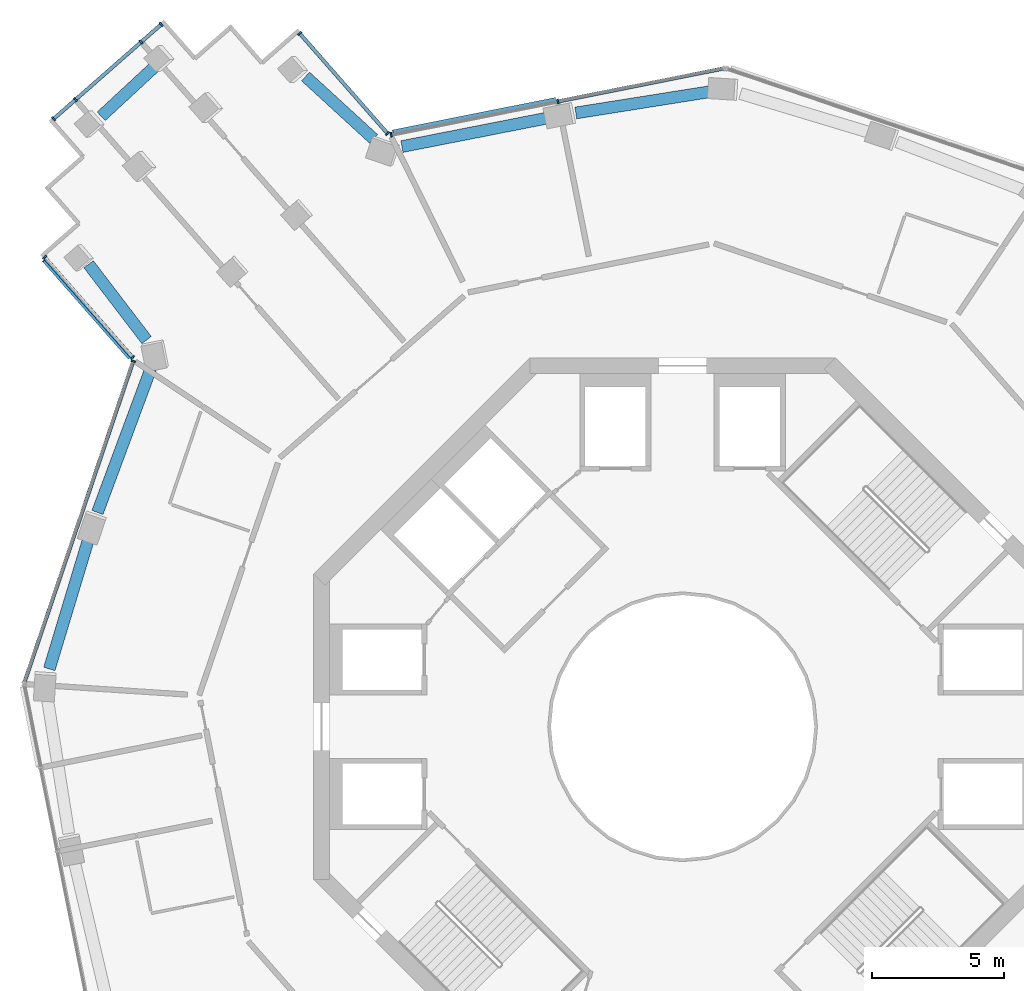
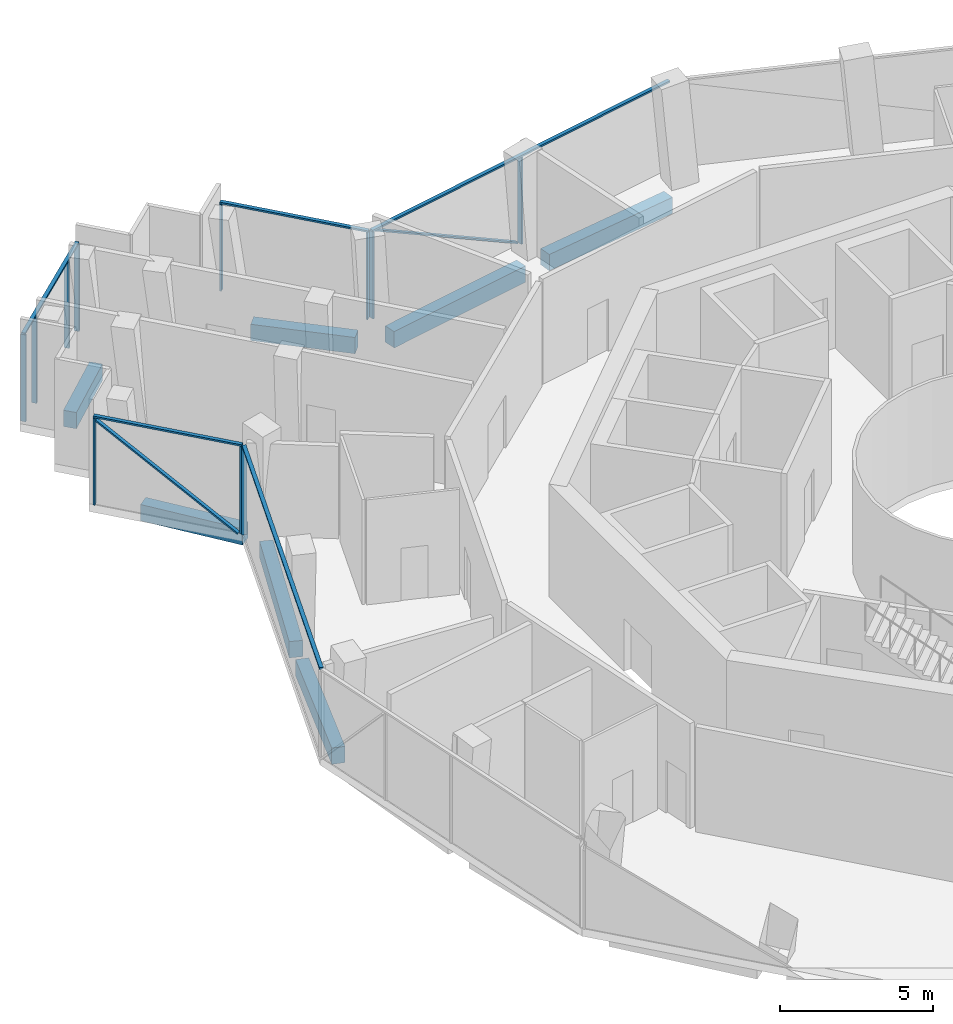
# One storey, part 5 of 17: 18 members, 7 beams, 5 elements without a shape of their own.
"""IFC4 building model written with IfcOpenShell, lengths in metres."""

import ifcopenshell
import ifcopenshell.guid

model = None  # the IFC model being written
_history = None  # IfcOwnerHistory: only IFC2X3 demands one
_inside = {}  # id of a spatial element -> (the spatial element, [elements in it])
_under = {}  # id of a project, library or spatial element -> (it, [spatial elements below it])
_declared = {}  # id of a project -> (the project, [libraries it declares])
_typed = {}  # id of a type object -> (the type object, [elements of that type])
_made_of = {}  # id of a material, layer set ... -> (it, [elements and type objects made of it])


def new_model(schema):
    """Start an empty IFC model of exactly this schema.

    Asked for "IFC4X3", IfcOpenShell would pick the latest addendum, in which some entities
    have other attributes; the version numbers below select the first issue.
    IFC2X3 requires an IfcOwnerHistory on every rooted entity: one is made here for all.
    """
    global model, _history
    if schema == "IFC4X3":
        model = ifcopenshell.file(schema_version=(4, 3, 0, 0))
    else:
        model = ifcopenshell.file(schema=schema)
    _inside.clear()
    _under.clear()
    _declared.clear()
    _typed.clear()
    _made_of.clear()
    _history = None
    if model.schema == "IFC2X3":
        org = make("IfcOrganization", Name="unknown")
        user = make(
            "IfcPersonAndOrganization",
            ThePerson=make("IfcPerson", FamilyName="unknown"),
            TheOrganization=org,
        )
        app = make(
            "IfcApplication",
            ApplicationDeveloper=org,
            Version="unknown",
            ApplicationFullName="unknown",
            ApplicationIdentifier="unknown",
        )
        _history = make(
            "IfcOwnerHistory",
            OwningUser=user,
            OwningApplication=app,
            ChangeAction="ADDED",
            CreationDate=0,
        )
    return model


def make(cls, **values):
    """One entity of the class cls with the attributes given. An attribute that is None is left unset."""
    return model.create_entity(
        cls, **{name: value for name, value in values.items() if value is not None}
    )


def rooted(cls, **values):
    """An entity with a GlobalId (a new one), such as an element, a storey or a relation."""
    return make(cls, GlobalId=ifcopenshell.guid.new(), OwnerHistory=_history, **values)


def si_unit(unit_type, name, prefix=None):
    """IfcSIUnit, for example si_unit("LENGTHUNIT", "METRE", prefix="MILLI")."""
    return make("IfcSIUnit", UnitType=unit_type, Prefix=prefix, Name=name)


def assignment(units):
    """IfcUnitAssignment: the units of a project."""
    return None if units is None else make("IfcUnitAssignment", Units=units)


def point(xyz):
    """IfcCartesianPoint."""
    return None if xyz is None else make("IfcCartesianPoint", Coordinates=xyz)


def direction(xyz):
    """IfcDirection."""
    return None if xyz is None else make("IfcDirection", DirectionRatios=xyz)


def frame(location, z_axis=None, x_axis=None):
    """IfcAxis2Placement3D, a coordinate frame: its origin and axes. An axis left out is left unset."""
    return make(
        "IfcAxis2Placement3D",
        Location=point(location),
        Axis=direction(z_axis),
        RefDirection=direction(x_axis),
    )


def frame_2d(location, x_axis=None):
    """IfcAxis2Placement2D, a coordinate frame in the plane: its origin and x axis."""
    return make(
        "IfcAxis2Placement2D", Location=point(location), RefDirection=direction(x_axis)
    )


def origin():
    """The frame at (0, 0, 0) with its axes left unset."""
    return frame((0.0, 0.0, 0.0))


def origin_2d():
    """The frame at (0, 0) in the plane with its x axis left unset."""
    return frame_2d((0.0, 0.0))


def place(relative_to, where):
    """IfcLocalPlacement: puts the frame where relative to a parent placement (None: the world)."""
    return make(
        "IfcLocalPlacement", PlacementRelTo=relative_to, RelativePlacement=where
    )


def context(
    kind, dimensions, precision=None, world=None, true_north=None, identifier=None
):
    """IfcGeometricRepresentationContext, for example the 3D "Model" context."""
    return make(
        "IfcGeometricRepresentationContext",
        ContextIdentifier=identifier,
        ContextType=kind,
        CoordinateSpaceDimension=dimensions,
        Precision=precision,
        WorldCoordinateSystem=world,
        TrueNorth=true_north,
    )


def subcontext(parent, identifier, kind, view, scale=None):
    """IfcGeometricRepresentationSubContext, for example "Body" below "Model"."""
    return make(
        "IfcGeometricRepresentationSubContext",
        ContextIdentifier=identifier,
        ContextType=kind,
        ParentContext=parent,
        TargetScale=scale,
        TargetView=view,
    )


def project(units=None, contexts=None):
    """IfcProject with its units and contexts."""
    return rooted(
        "IfcProject",
        Name="project",
        RepresentationContexts=contexts,
        UnitsInContext=assignment(units),
    )


def spatial(cls, under=None, at=None, **own):
    """A site, building, storey or space (cls), placed at a placement, below another one or the project."""
    s = rooted(cls, ObjectPlacement=at, **own)
    if under is not None:
        _under.setdefault(under.id(), (under, []))[1].append(s)
    return s


def profile(cls, at=None, kind="AREA", **sizes):
    """A parametric profile (cls). Its sizes go by their IFC names, for example OverallWidth=200.0."""
    return make(cls, ProfileType=kind, Position=at, **sizes)


def rectangle(**sizes):
    """IfcRectangleProfileDef."""
    return profile("IfcRectangleProfileDef", **sizes)


def extrude(swept, where, along, depth):
    """IfcExtrudedAreaSolid: the profile swept, set in the frame where, extruded along a direction by depth."""
    return make(
        "IfcExtrudedAreaSolid",
        SweptArea=swept,
        Position=where,
        ExtrudedDirection=direction(along),
        Depth=depth,
    )


def shape(context_of_items, identifier, shape_type, items):
    """IfcShapeRepresentation: the items that make up one representation, for example the "Body"."""
    return make(
        "IfcShapeRepresentation",
        ContextOfItems=context_of_items,
        RepresentationIdentifier=identifier,
        RepresentationType=shape_type,
        Items=items,
    )


def material(Name=None, Category=None):
    """IfcMaterial."""
    return make("IfcMaterial", Name=Name, Category=Category)


def layer(
    of_material, thickness, ventilated=None, Name=None, Category=None, Priority=None
):
    """IfcMaterialLayer: one layer of a wall or slab, of a material (None: an air gap)."""
    return make(
        "IfcMaterialLayer",
        Material=of_material,
        LayerThickness=thickness,
        IsVentilated=ventilated,
        Name=Name,
        Category=Category,
        Priority=Priority,
    )


def layer_set(layers, Name=None):
    """IfcMaterialLayerSet."""
    return make("IfcMaterialLayerSet", MaterialLayers=layers, LayerSetName=Name)


def material_profile(
    of_material, cross_section, Name=None, Category=None, Priority=None
):
    """IfcMaterialProfile: a cross section and its material."""
    return make(
        "IfcMaterialProfile",
        Name=Name,
        Material=of_material,
        Profile=cross_section,
        Priority=Priority,
        Category=Category,
    )


def profile_set(profiles, Name=None, composite=None):
    """IfcMaterialProfileSet."""
    return make(
        "IfcMaterialProfileSet",
        Name=Name,
        MaterialProfiles=profiles,
        CompositeProfile=composite,
    )


def made_of(thing, what):
    """Note that an element or type object is made of a material, layer set ...; save() writes the relation."""
    if what is not None:
        _made_of.setdefault(what.id(), (what, []))[1].append(thing)
    return thing


def type_object(cls, material=None, **own):
    """A type object (cls), such as IfcWallType, which elements share."""
    return made_of(rooted(cls, **own), material)


def element(
    cls,
    number,
    at=None,
    inside=None,
    cuts=None,
    type_object=None,
    material=None,
    context=None,
    identifier="Body",
    shape_type=None,
    held_by="IfcProductDefinitionShape",
    body=None,
    shapes=None,
    **own,
):
    """One element of the class cls, such as IfcWall. Its Tag is "e" and its number.

    at: its placement. inside: the storey or other place that contains it. cuts: it is an
    opening in that element (IfcRelVoidsElement). A single representation is given by context,
    identifier, shape_type and body (its items); several are given by shapes. held_by: the class
    of the entity that holds the representations. save() writes the other relations.
    """
    e = rooted(cls, Tag="e%d" % number, ObjectPlacement=at, **own)
    if body is not None:
        shapes = [shape(context, identifier, shape_type, body)]
    if shapes is not None:
        e.Representation = make(held_by, Representations=shapes)
    if inside is not None:
        _inside.setdefault(inside.id(), (inside, []))[1].append(e)
    if cuts is not None:
        rooted(
            "IfcRelVoidsElement", RelatingBuildingElement=cuts, RelatedOpeningElement=e
        )
    if type_object is not None:
        _typed.setdefault(type_object.id(), (type_object, []))[1].append(e)
    return made_of(e, material)


def aggregate(whole, parts):
    """IfcRelAggregates: a whole, such as a stair, and the parts it consists of."""
    return rooted("IfcRelAggregates", RelatingObject=whole, RelatedObjects=parts)


def save(model, path):
    """Write the relations noted so far, then the file.

    IfcRelAggregates (storeys below a building ...), IfcRelContainedInSpatialStructure (elements
    in a storey), IfcRelDefinesByType, IfcRelAssociatesMaterial and IfcRelDeclares: one each for
    every whole, place, type object, material and project.
    """
    for whole, parts in _under.values():
        aggregate(whole, parts)
    for where, things in _inside.values():
        rooted(
            "IfcRelContainedInSpatialStructure",
            RelatedElements=things,
            RelatingStructure=where,
        )
    for kind, things in _typed.values():
        rooted("IfcRelDefinesByType", RelatedObjects=things, RelatingType=kind)
    for what, things in _made_of.values():
        rooted("IfcRelAssociatesMaterial", RelatedObjects=things, RelatingMaterial=what)
    for by, libraries in _declared.values():
        rooted("IfcRelDeclares", RelatingContext=by, RelatedDefinitions=libraries)
    model.write(path)


model = new_model("IFC4")

# Units and contexts
model_context = context("Model", 3, precision=1e-05, world=origin(), true_north=direction((0.0, 1.0)))
body_context = subcontext(model_context, "Body", "Model", "MODEL_VIEW")
ifc_project = project(units=[si_unit("LENGTHUNIT", "METRE"), si_unit("AREAUNIT", "SQUARE_METRE"), si_unit("VOLUMEUNIT", "CUBIC_METRE"), si_unit("PLANEANGLEUNIT", "RADIAN"), si_unit("MASSUNIT", "GRAM", prefix="KILO")], contexts=[model_context])

# Site, building, storey
site_placement = place(None, origin())
site = spatial("IfcSite", under=ifc_project, at=site_placement, CompositionType="ELEMENT")
building_placement = place(site_placement, origin())
building = spatial("IfcBuilding", under=site, at=building_placement, Name="Verdalira Terraces Hotel", CompositionType="ELEMENT")
storey_placement = place(building_placement, frame((0.0, 0.0, 201.0)))
storey = spatial("IfcBuildingStorey", under=building, at=storey_placement, Name="L49", CompositionType="ELEMENT", Elevation=201.0)

# Curtain wall, members
ifc_material_1 = material(Name="Clear glass", Category="glass")
ifc_layer = layer(ifc_material_1, 0.179931640625)
ifc_layer_set = layer_set([ifc_layer], Name="CW4 curtain wall")
curtain_wall_type = type_object("IfcCurtainWallType", Name="CW4 curtain wall", PredefinedType="NOTDEFINED", material=ifc_layer_set)
curtain_wall_1_placement = place(storey_placement, origin())
curtain_wall_1 = element("IfcCurtainWall", 1, at=curtain_wall_1_placement, inside=storey, type_object=curtain_wall_type, Name="CW4 curtain wall L49 edge 0", PredefinedType="NOTDEFINED")
ifc_material_2 = material(Name="Terracotta frame", Category="masonry")
ifc_material_profile_1 = material_profile(ifc_material_2, rectangle(XDim=0.064941, YDim=0.179932, at=origin_2d()), Name="MU 65x180")
ifc_profile_set_1 = profile_set([ifc_material_profile_1], Name="Terracotta frame")
member_type_1 = type_object("IfcMemberType", Name="CW4 mullion 65x180", PredefinedType="MULLION", material=ifc_profile_set_1)
member_1_placement = place(storey_placement, frame((-11.19751, 22.516113, 0.0), z_axis=(0.0, 0.0, 1.0), x_axis=(-0.659739387, 0.751494472, 0.0)))
member_1 = element("IfcMember", 2, at=member_1_placement, type_object=member_type_1, Name="CW4 mullion", PredefinedType="MULLION", context=body_context, shape_type="SweptSolid", body=[
    extrude(rectangle(XDim=0.064941, YDim=0.179932, at=origin_2d()), origin(), (0.0, 0.0, 1.0), 3.469971),
])
member_2_placement = place(storey_placement, frame((-14.532471, 26.315186, 0.0), z_axis=(0.0, 0.0, 1.0), x_axis=(-0.659739387, 0.751494472, 0.0)))
member_2 = element("IfcMember", 3, at=member_2_placement, type_object=member_type_1, Name="CW4 mullion", PredefinedType="MULLION", context=body_context, shape_type="SweptSolid", body=[
    extrude(rectangle(XDim=0.064941, YDim=0.179932, at=origin_2d()), origin(), (0.0, 0.0, 1.0), 3.469971),
])

curtain_wall_2_placement = place(storey_placement, origin())
curtain_wall_2 = element("IfcCurtainWall", 4, at=curtain_wall_2_placement, inside=storey, type_object=curtain_wall_type, Name="CW4 curtain wall L49 edge 5", PredefinedType="NOTDEFINED")
member_3_placement = place(storey_placement, frame((-19.785889, 26.656738, 0.0), z_axis=(0.0, 0.0, 1.0), x_axis=(-0.751494472, -0.659739387, 0.0)))
member_3 = element("IfcMember", 5, at=member_3_placement, type_object=member_type_1, Name="CW4 mullion", PredefinedType="MULLION", context=body_context, shape_type="SweptSolid", body=[
    extrude(rectangle(XDim=0.064941, YDim=0.179932, at=origin_2d()), origin(), (0.0, 0.0, 1.0), 3.469971),
])
member_4_placement = place(storey_placement, frame((-20.548584, 25.987061, 0.0), z_axis=(0.0, 0.0, 1.0), x_axis=(-0.751494472, -0.659739387, 0.0)))
member_4 = element("IfcMember", 6, at=member_4_placement, type_object=member_type_1, Name="CW4 mullion", PredefinedType="MULLION", context=body_context, shape_type="SweptSolid", body=[
    extrude(rectangle(XDim=0.064941, YDim=0.179932, at=origin_2d()), origin(), (0.0, 0.0, 1.0), 3.469971),
])
member_5_placement = place(storey_placement, frame((-23.038818, 23.801025, 0.0), z_axis=(0.0, 0.0, 1.0), x_axis=(-0.751494472, -0.659739387, 0.0)))
member_5 = element("IfcMember", 7, at=member_5_placement, type_object=member_type_1, Name="CW4 mullion", PredefinedType="MULLION", context=body_context, shape_type="SweptSolid", body=[
    extrude(rectangle(XDim=0.064941, YDim=0.179932, at=origin_2d()), origin(), (0.0, 0.0, 1.0), 3.469971),
])
member_6_placement = place(storey_placement, frame((-23.870361, 23.071045, 0.0), z_axis=(0.0, 0.0, 1.0), x_axis=(-0.751494472, -0.659739387, 0.0)))
member_6 = element("IfcMember", 8, at=member_6_placement, type_object=member_type_1, Name="CW4 mullion", PredefinedType="MULLION", context=body_context, shape_type="SweptSolid", body=[
    extrude(rectangle(XDim=0.064941, YDim=0.179932, at=origin_2d()), origin(), (0.0, 0.0, 1.0), 3.469971),
])

curtain_wall_3_placement = place(storey_placement, origin())
curtain_wall_3 = element("IfcCurtainWall", 9, at=curtain_wall_3_placement, inside=storey, type_object=curtain_wall_type, Name="CW4 curtain wall L49 edge 10", PredefinedType="NOTDEFINED")
member_7_placement = place(storey_placement, frame((-24.211914, 17.817627, 0.0), z_axis=(0.0, 0.0, 1.0), x_axis=(0.659739387, -0.751494472, 0.0)))
member_7 = element("IfcMember", 10, at=member_7_placement, type_object=member_type_1, Name="CW4 mullion", PredefinedType="MULLION", context=body_context, shape_type="SweptSolid", body=[
    extrude(rectangle(XDim=0.064941, YDim=0.179932, at=origin_2d()), origin(), (0.0, 0.0, 1.0), 3.469971),
])
member_8_placement = place(storey_placement, frame((-20.876709, 14.018799, 0.0), z_axis=(0.0, 0.0, 1.0), x_axis=(0.659739387, -0.751494472, 0.0)))
member_8 = element("IfcMember", 11, at=member_8_placement, type_object=member_type_1, Name="CW4 mullion", PredefinedType="MULLION", context=body_context, shape_type="SweptSolid", body=[
    extrude(rectangle(XDim=0.064941, YDim=0.179932, at=origin_2d()), origin(), (0.0, 0.0, 1.0), 3.469971),
])

# Curtain wall, member
curtain_wall_4_placement = place(storey_placement, origin())
curtain_wall_4 = element("IfcCurtainWall", 12, at=curtain_wall_4_placement, inside=storey, type_object=curtain_wall_type, Name="CW4 curtain wall L49 edge 11", PredefinedType="NOTDEFINED")
member_9_placement = place(storey_placement, frame((-20.848145, 13.875244, 0.0), z_axis=(0.0, 0.0, 1.0), x_axis=(-0.32094361, -0.947098305, 0.0)))
member_9 = element("IfcMember", 13, at=member_9_placement, type_object=member_type_1, Name="CW4 mullion", PredefinedType="MULLION", context=body_context, shape_type="SweptSolid", body=[
    extrude(rectangle(XDim=0.064941, YDim=0.179932, at=origin_2d()), origin(), (0.0, 0.0, 1.0), 3.469971),
])

# Curtain wall, members
curtain_wall_5_placement = place(storey_placement, origin())
curtain_wall_5 = element("IfcCurtainWall", 14, at=curtain_wall_5_placement, inside=storey, type_object=curtain_wall_type, Name="CW4 curtain wall L49 edge 41", PredefinedType="NOTDEFINED")
member_10_placement = place(storey_placement, frame((-4.733398, 23.730957, 0.0), z_axis=(0.0, 0.0, 1.0), x_axis=(-0.980682997, -0.195603833, 0.0)))
member_10 = element("IfcMember", 15, at=member_10_placement, type_object=member_type_1, Name="CW4 mullion", PredefinedType="MULLION", context=body_context, shape_type="SweptSolid", body=[
    extrude(rectangle(XDim=0.064941, YDim=0.179932, at=origin_2d()), origin(), (0.0, 0.0, 1.0), 3.469971),
])
member_11_placement = place(storey_placement, frame((-11.058838, 22.469238, 0.0), z_axis=(0.0, 0.0, 1.0), x_axis=(-0.980682997, -0.195603833, 0.0)))
member_11 = element("IfcMember", 16, at=member_11_placement, type_object=member_type_1, Name="CW4 mullion", PredefinedType="MULLION", context=body_context, shape_type="SweptSolid", body=[
    extrude(rectangle(XDim=0.064941, YDim=0.179932, at=origin_2d()), origin(), (0.0, 0.0, 1.0), 3.469971),
])

# Member
ifc_material_3 = material(Name="Terracotta frame", Category="masonry")
ifc_material_profile_2 = material_profile(ifc_material_3, rectangle(XDim=0.139893, YDim=0.070068, at=origin_2d()), Name="TR 70x140")
ifc_profile_set_2 = profile_set([ifc_material_profile_2], Name="Terracotta frame")
member_type_2 = type_object("IfcMemberType", Name="CW4 transom 70x140", PredefinedType="USERDEFINED", material=ifc_profile_set_2)
member_12_placement = place(storey_placement, frame((-11.176025, 22.491699, 3.504883), z_axis=(-0.659722368, 0.751509413, 0.0), x_axis=(-0.751509413, -0.659722368, 0.0)))
member_12 = element("IfcMember", 17, at=member_12_placement, type_object=member_type_2, Name="CW4 transom", ObjectType="TRANSOM", PredefinedType="USERDEFINED", context=body_context, shape_type="SweptSolid", body=[
    extrude(rectangle(XDim=0.139893, YDim=0.070068, at=origin_2d()), origin(), (0.0, 0.0, 1.0), 5.120117),
])

aggregate(curtain_wall_1, [member_1, member_2, member_12])

member_13_placement = place(storey_placement, frame((-19.761475, 26.678223, 3.504883), z_axis=(-0.75149229, -0.659741873, 0.0), x_axis=(0.659741873, -0.75149229, 0.0)))
member_13 = element("IfcMember", 18, at=member_13_placement, type_object=member_type_2, Name="CW4 transom", ObjectType="TRANSOM", PredefinedType="USERDEFINED", context=body_context, shape_type="SweptSolid", body=[
    extrude(rectangle(XDim=0.139893, YDim=0.070068, at=origin_2d()), origin(), (0.0, 0.0, 1.0), 5.500244),
])

aggregate(curtain_wall_2, [member_3, member_4, member_5, member_6, member_13])

member_14_placement = place(storey_placement, frame((-24.233154, 17.842041, 3.504883), z_axis=(0.659746008, -0.751488659, 0.0), x_axis=(0.751488659, 0.659746008, 0.0)))
member_14 = element("IfcMember", 19, at=member_14_placement, type_object=member_type_2, Name="CW4 transom", ObjectType="TRANSOM", PredefinedType="USERDEFINED", context=body_context, shape_type="SweptSolid", body=[
    extrude(rectangle(XDim=0.139893, YDim=0.070068, at=origin_2d()), origin(), (0.0, 0.0, 1.0), 5.120117),
])

member_15_placement = place(storey_placement, frame((-20.837646, 13.906006, 3.504883), z_axis=(-0.320943499, -0.947098343, 0.0), x_axis=(0.947098343, -0.320943499, 0.0)))
member_15 = element("IfcMember", 20, at=member_15_placement, type_object=member_type_2, Name="CW4 transom", ObjectType="TRANSOM", PredefinedType="USERDEFINED", context=body_context, shape_type="SweptSolid", body=[
    extrude(rectangle(XDim=0.139893, YDim=0.070068, at=origin_2d()), origin(), (0.0, 0.0, 1.0), 12.942383),
])

aggregate(curtain_wall_4, [member_9, member_15])

member_16_placement = place(storey_placement, frame((1.601807, 24.994385, 3.504883), z_axis=(-0.98068501, -0.195593739, 0.0), x_axis=(0.195593739, -0.98068501, 0.0)))
member_16 = element("IfcMember", 21, at=member_16_placement, type_object=member_type_2, Name="CW4 transom", ObjectType="TRANSOM", PredefinedType="USERDEFINED", context=body_context, shape_type="SweptSolid", body=[
    extrude(rectangle(XDim=0.139893, YDim=0.070068, at=origin_2d()), origin(), (0.0, 0.0, 1.0), 12.942627),
])

ifc_material_4 = material(Name="Terracotta frame", Category="masonry")
ifc_material_profile_3 = material_profile(ifc_material_4, rectangle(XDim=0.149902, YDim=0.060059, at=origin_2d()), Name="GB 60x150")
ifc_profile_set_3 = profile_set([ifc_material_profile_3], Name="Terracotta frame")
member_type_3 = type_object("IfcMemberType", Name="Diagonal glazing bar 60x150", PredefinedType="USERDEFINED", material=ifc_profile_set_3)
member_17_placement = place(storey_placement, frame((-24.23584, 17.704102, 3.444336), z_axis=(0.541656449, -0.617003164, -0.570889996), x_axis=(0.751502076, 0.659730726, 0.0)))
member_17 = element("IfcMember", 22, at=member_17_placement, type_object=member_type_3, Name="Diagonal glazing bar", ObjectType="GLAZING BAR", PredefinedType="USERDEFINED", context=body_context, shape_type="SweptSolid", body=[
    extrude(rectangle(XDim=0.149902, YDim=0.060059, at=origin_2d()), origin(), (0.0, 0.0, 1.0), 5.988037),
])

aggregate(curtain_wall_3, [member_7, member_8, member_14, member_17])

member_18_placement = place(storey_placement, frame((-4.83252, 23.805908, 0.027344), z_axis=(-0.861672666, -0.171856679, 0.47747827), x_axis=(0.195593171, -0.980685124, 0.0)))
member_18 = element("IfcMember", 23, at=member_18_placement, type_object=member_type_3, Name="Diagonal glazing bar", ObjectType="GLAZING BAR", PredefinedType="USERDEFINED", context=body_context, shape_type="SweptSolid", body=[
    extrude(rectangle(XDim=0.149902, YDim=0.060059, at=origin_2d()), origin(), (0.0, 0.0, 1.0), 7.152832),
])

aggregate(curtain_wall_5, [member_10, member_11, member_16, member_18])

# Beams
ifc_material_5 = material(Name="Concrete C50", Category="concrete")
ifc_material_profile_4 = material_profile(ifc_material_5, rectangle(XDim=0.449951, YDim=0.649902, at=origin_2d()), Name="RC 450X650")
ifc_profile_set_4 = profile_set([ifc_material_profile_4], Name="Concrete C50")
beam_type = type_object("IfcBeamType", Name="Spandrel beam RC 450X650 C50", PredefinedType="SPANDREL", material=ifc_profile_set_4)
beam_1_placement = place(storey_placement, frame((-11.729248, 22.3125, -0.63501), z_axis=(-0.737090455, 0.675794097, 0.0), x_axis=(-0.675794097, -0.737090455, 0.0)))
element("IfcBeam", 24, at=beam_1_placement, inside=storey, type_object=beam_type, Name="Spandrel beam B01", PredefinedType="SPANDREL", context=body_context, shape_type="SweptSolid", body=[
    extrude(rectangle(XDim=0.449951, YDim=0.649902, at=origin_2d()), origin(), (0.0, 0.0, 1.0), 3.500977),
])
beam_2_placement = place(storey_placement, frame((-19.937988, 25.138916, -0.63501), z_axis=(-0.733236882, -0.67997329, 0.0), x_axis=(0.67997329, -0.733236882, 0.0)))
element("IfcBeam", 25, at=beam_2_placement, inside=storey, type_object=beam_type, Name="Spandrel beam B02", PredefinedType="SPANDREL", context=body_context, shape_type="SweptSolid", body=[
    extrude(rectangle(XDim=0.449951, YDim=0.649902, at=origin_2d()), origin(), (0.0, 0.0, 1.0), 2.901367),
])
beam_3_placement = place(storey_placement, frame((-22.540527, 17.552246, -0.63501), z_axis=(0.607207194, -0.794543532, 0.0), x_axis=(0.794543532, 0.607207194, 0.0)))
element("IfcBeam", 26, at=beam_3_placement, inside=storey, type_object=beam_type, Name="Spandrel beam B03", PredefinedType="SPANDREL", context=body_context, shape_type="SweptSolid", body=[
    extrude(rectangle(XDim=0.449951, YDim=0.649902, at=origin_2d()), origin(), (0.0, 0.0, 1.0), 3.619141),
])
beam_4_placement = place(storey_placement, frame((-20.183105, 13.583984, -0.63501), z_axis=(-0.348171768, -0.937430755, 0.0), x_axis=(0.937430755, -0.348171768, 0.0)))
element("IfcBeam", 27, at=beam_4_placement, inside=storey, type_object=beam_type, Name="Spandrel beam B04", PredefinedType="SPANDREL", context=body_context, shape_type="SweptSolid", body=[
    extrude(rectangle(XDim=0.449951, YDim=0.649902, at=origin_2d()), origin(), (0.0, 0.0, 1.0), 5.813721),
])
beam_5_placement = place(storey_placement, frame((-22.533203, 7.163574, -0.63501), z_axis=(-0.288957407, -0.957341954, 0.0), x_axis=(0.957341954, -0.288957407, 0.0)))
element("IfcBeam", 28, at=beam_5_placement, inside=storey, type_object=beam_type, Name="Spandrel beam B05", PredefinedType="SPANDREL", context=body_context, shape_type="SweptSolid", body=[
    extrude(rectangle(XDim=0.449951, YDim=0.649902, at=origin_2d()), origin(), (0.0, 0.0, 1.0), 5.189453),
])
beam_6_placement = place(storey_placement, frame((1.073975, 24.107422, -0.63501), z_axis=(-0.987665555, -0.156578258, 0.0), x_axis=(0.156578258, -0.987665555, 0.0)))
element("IfcBeam", 29, at=beam_6_placement, inside=storey, type_object=beam_type, Name="Spandrel beam B22", PredefinedType="SPANDREL", context=body_context, shape_type="SweptSolid", body=[
    extrude(rectangle(XDim=0.449951, YDim=0.649902, at=origin_2d()), origin(), (0.0, 0.0, 1.0), 5.192139),
])
beam_7_placement = place(storey_placement, frame((-5.052979, 23.117432, -0.63501), z_axis=(-0.981275398, -0.192609951, 0.0), x_axis=(0.192609951, -0.981275398, 0.0)))
element("IfcBeam", 30, at=beam_7_placement, inside=storey, type_object=beam_type, Name="Spandrel beam B23", PredefinedType="SPANDREL", context=body_context, shape_type="SweptSolid", body=[
    extrude(rectangle(XDim=0.449951, YDim=0.649902, at=origin_2d()), origin(), (0.0, 0.0, 1.0), 5.706543),
])

save(model, "model.ifc")
